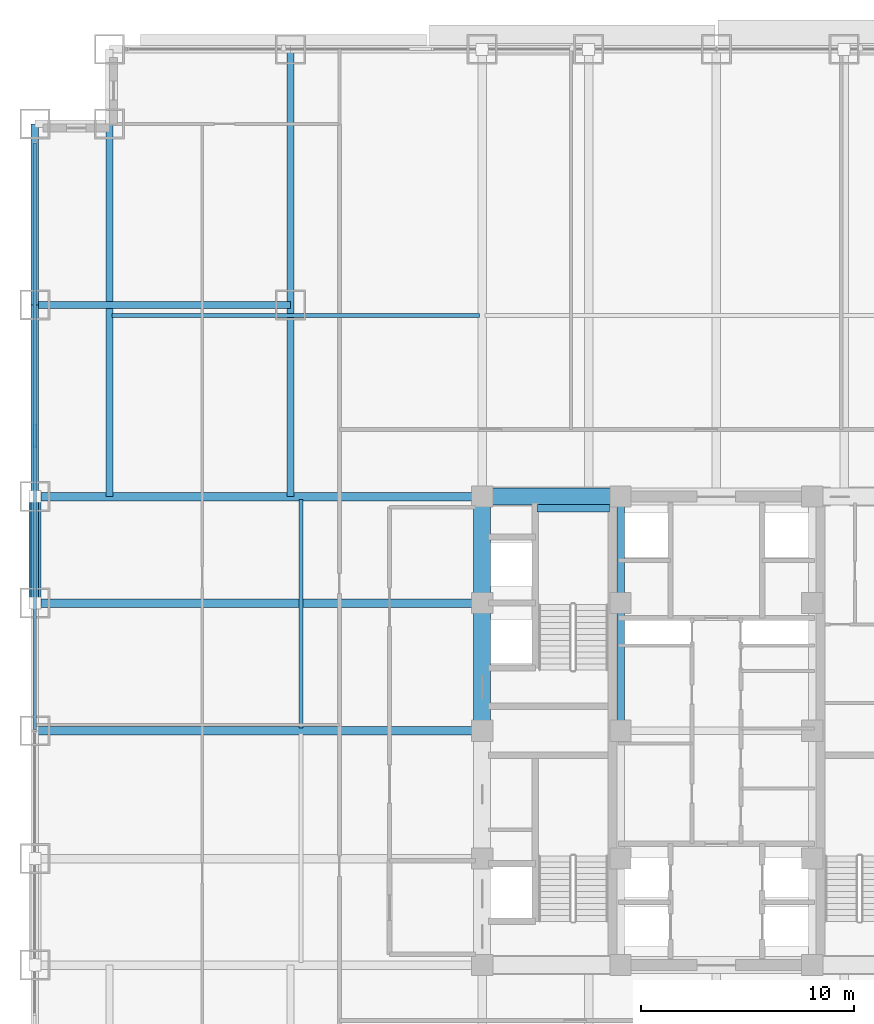
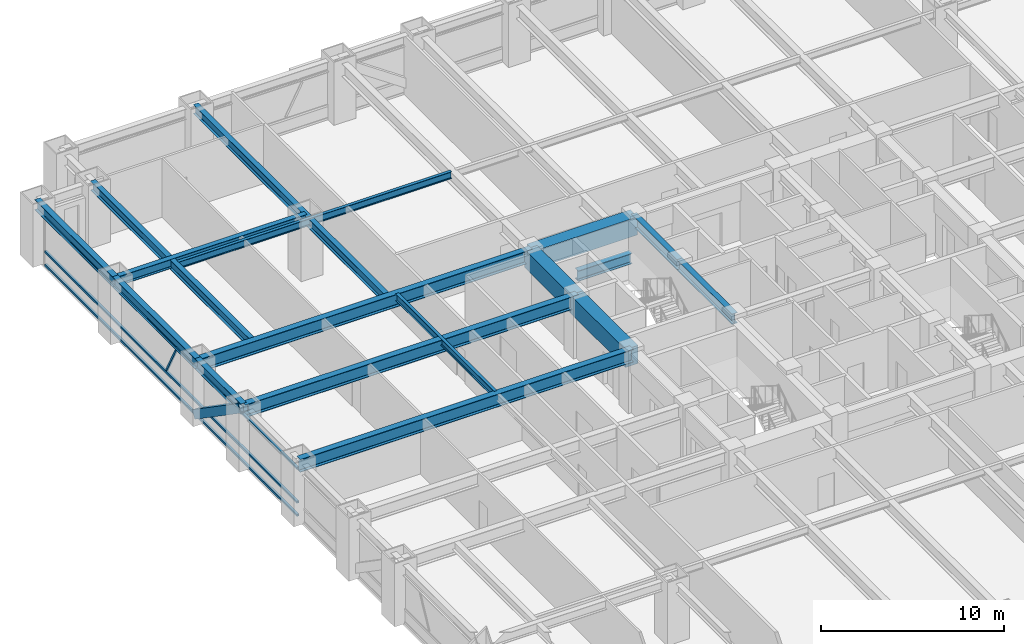
# One storey, part 9 of 32: 17 beams, 5 members, 1 element without a shape of its own.
"""IFC4 building model written with IfcOpenShell, lengths in metres."""

from ifc_helpers import new_model, si_unit, direction, frame, origin, origin_2d, place, context, subcontext, project, spatial, rectangle, hollow_rectangle, i_section, extrude, source, transform, mapped, material, material_profile, profile_set, type_object, element, aggregate, save


model = new_model("IFC4")

# Units and contexts
model_context = context("Model", 3, precision=1e-05, world=origin(), true_north=direction((0.0, 1.0)))
body_context = subcontext(model_context, "Body", "Model", "MODEL_VIEW")
ifc_project = project(units=[si_unit("LENGTHUNIT", "METRE"), si_unit("AREAUNIT", "SQUARE_METRE"), si_unit("VOLUMEUNIT", "CUBIC_METRE"), si_unit("PLANEANGLEUNIT", "RADIAN"), si_unit("MASSUNIT", "GRAM", prefix="KILO")], contexts=[model_context])

# Site, building, storey
site_placement = place(None, origin())
site = spatial("IfcSite", under=ifc_project, at=site_placement, CompositionType="ELEMENT")
building_placement = place(site_placement, origin())
building = spatial("IfcBuilding", under=site, at=building_placement, Name="Khorayat Bourse Tower", CompositionType="ELEMENT")
storey_placement = place(building_placement, frame((0.0, 0.0, 78.800048828125)))
storey = spatial("IfcBuildingStorey", under=building, at=storey_placement, Name="L17", CompositionType="ELEMENT", Elevation=78.800048828125)

# Beams
ifc_material_1 = material(Name="Concrete C72/90", Category="concrete")
ifc_material_profile_1 = material_profile(ifc_material_1, rectangle(XDim=0.800048828125, YDim=1.199951171875, at=origin_2d()), Name="RC 800x1200")
ifc_profile_set_1 = profile_set([ifc_material_profile_1], Name="Concrete C72/90")
beam_type_1 = type_object("IfcBeamType", Name="BM-COUP-1200", PredefinedType="BEAM", material=ifc_profile_set_1)
shared_shape_1 = source(origin(), body_context, "Body", "SweptSolid", [
    extrude(rectangle(XDim=0.800048828125, YDim=1.199951171875, at=origin_2d()), origin(), (0.0, 0.0, 1.0), 5.0),
])
beam_1_placement = place(storey_placement, frame((-11.0, 6.0, 3.33984375), z_axis=(0.0, 1.0, 0.0), x_axis=(-1.0, 0.0, 0.0)))
element("IfcBeam", 1, at=beam_1_placement, inside=storey, type_object=beam_type_1, Name="L17 BM-COUP-1200 BM-L17-CRX-04", PredefinedType="BEAM", context=body_context, shape_type="MappedRepresentation", body=[
    mapped(shared_shape_1, transform((0.0, 0.0, 0.0), scale=1.0)),
])
shared_shape_2 = source(origin(), body_context, "Body", "SweptSolid", [
    extrude(rectangle(XDim=0.800048828125, YDim=1.199951171875, at=origin_2d()), origin(), (0.0, 0.0, 1.0), 6.0),
])
beam_2_placement = place(storey_placement, frame((-11.0, 0.0, 3.33984375), z_axis=(0.0, 1.0, 0.0), x_axis=(-1.0, 0.0, 0.0)))
element("IfcBeam", 2, at=beam_2_placement, inside=storey, type_object=beam_type_1, Name="L17 BM-COUP-1200 BM-L17-CRX-03", PredefinedType="BEAM", context=body_context, shape_type="MappedRepresentation", body=[
    mapped(shared_shape_2, transform((0.0, 0.0, 0.0), scale=1.0)),
])
ifc_material_2 = material(Name="Steel ASTM A992 Grade 50", Category="steel")
ifc_material_profile_2 = material_profile(ifc_material_2, i_section(OverallWidth=0.35498046875, OverallDepth=0.695068359375, WebThickness=0.015380859375, FlangeThickness=0.02490234375, FilletRadius=0.01806640625, at=origin_2d()), Name="W690X217")
ifc_profile_set_2 = profile_set([ifc_material_profile_2], Name="Steel ASTM A992 Grade 50")
beam_type_2 = type_object("IfcBeamType", Name="BM-GIRD-690", PredefinedType="BEAM", material=ifc_profile_set_2)
shared_shape_3 = source(origin(), body_context, "Body", "SweptSolid", [
    extrude(i_section(OverallWidth=0.35498046875, OverallDepth=0.695068359375, WebThickness=0.015380859375, FlangeThickness=0.02490234375, FilletRadius=0.01806640625, at=origin_2d()), origin(), (0.0, 0.0, 1.0), 5.0),
])
beam_3_placement = place(storey_placement, frame((-4.5, 6.0, 3.592529296875), z_axis=(0.0, 1.0, 0.0), x_axis=(-1.0, 0.0, 0.0)))
element("IfcBeam", 3, at=beam_3_placement, inside=storey, type_object=beam_type_2, Name="L17 BM-GIRD-690 BM-L17-CRX-08", PredefinedType="BEAM", context=body_context, shape_type="MappedRepresentation", body=[
    mapped(shared_shape_3, transform((0.0, 0.0, 0.0), scale=1.0)),
])
shared_shape_4 = source(origin(), body_context, "Body", "SweptSolid", [
    extrude(i_section(OverallWidth=0.35498046875, OverallDepth=0.695068359375, WebThickness=0.015380859375, FlangeThickness=0.02490234375, FilletRadius=0.01806640625, at=origin_2d()), origin(), (0.0, 0.0, 1.0), 6.0),
])
beam_4_placement = place(storey_placement, frame((-4.5, 0.0, 3.592529296875), z_axis=(0.0, 1.0, 0.0), x_axis=(-1.0, 0.0, 0.0)))
element("IfcBeam", 4, at=beam_4_placement, inside=storey, type_object=beam_type_2, Name="L17 BM-GIRD-690 BM-L17-CRX-07", PredefinedType="BEAM", context=body_context, shape_type="MappedRepresentation", body=[
    mapped(shared_shape_4, transform((0.0, 0.0, 0.0), scale=1.0)),
])
shared_shape_5 = source(origin(), body_context, "Body", "SweptSolid", [
    extrude(rectangle(XDim=0.800048828125, YDim=1.199951171875, at=origin_2d()), origin(), (0.0, 0.0, 1.0), 6.5),
])
beam_5_placement = place(storey_placement, frame((-11.0, 11.0, 3.33984375), z_axis=(1.0, 0.0, 0.0), x_axis=(0.0, 1.0, 0.0)))
element("IfcBeam", 5, at=beam_5_placement, inside=storey, type_object=beam_type_1, Name="L17 BM-COUP-1200 BM-L17-CRY-20", PredefinedType="BEAM", context=body_context, shape_type="MappedRepresentation", body=[
    mapped(shared_shape_5, transform((0.0, 0.0, 0.0), scale=1.0)),
])
shared_shape_6 = source(origin(), body_context, "Body", "SweptSolid", [
    extrude(i_section(OverallWidth=0.35498046875, OverallDepth=0.695068359375, WebThickness=0.015380859375, FlangeThickness=0.02490234375, FilletRadius=0.01806640625, at=origin_2d()), origin(), (0.0, 0.0, 1.0), 3.39990234375),
])
beam_6_placement = place(storey_placement, frame((-8.419921875, 10.449951171875, 1.552490234375), z_axis=(1.0, 0.0, 0.0), x_axis=(0.0, 1.0, 0.0)))
element("IfcBeam", 6, at=beam_6_placement, inside=storey, type_object=beam_type_2, Name="L17 BM-GIRD-690 BM-L17-ST2L", PredefinedType="BEAM", context=body_context, shape_type="MappedRepresentation", body=[
    mapped(shared_shape_6, transform((0.0, 0.0, 0.0), scale=1.0)),
])
ifc_material_profile_3 = material_profile(ifc_material_2, i_section(OverallWidth=0.35498046875, OverallDepth=0.695068359375, WebThickness=0.015380859375, FlangeThickness=0.02490234375, FilletRadius=0.01806640625, at=origin_2d()), Name="W690X217")
ifc_profile_set_3 = profile_set([ifc_material_profile_3], Name="Steel ASTM A992 Grade 50")
beam_type_3 = type_object("IfcBeamType", Name="BM-SPAN-690", PredefinedType="SPANDREL", material=ifc_profile_set_3)
shared_shape_7 = source(origin(), body_context, "Body", "SweptSolid", [
    extrude(i_section(OverallWidth=0.35498046875, OverallDepth=0.695068359375, WebThickness=0.015380859375, FlangeThickness=0.02490234375, FilletRadius=0.01806640625, at=origin_2d()), origin(), (0.0, 0.0, 1.0), 8.5),
])
beam_7_placement = place(storey_placement, frame((-32.0, 20.0, 3.592529296875), z_axis=(0.0, 1.0, 0.0), x_axis=(-1.0, 0.0, 0.0)))
element("IfcBeam", 7, at=beam_7_placement, inside=storey, type_object=beam_type_3, Name="L17 BM-SPAN-690 BM-L17-SPN-054", PredefinedType="SPANDREL", context=body_context, shape_type="MappedRepresentation", body=[
    mapped(shared_shape_7, transform((0.0, 0.0, 0.0), scale=1.0)),
])
shared_shape_8 = source(origin(), body_context, "Body", "SweptSolid", [
    extrude(i_section(OverallWidth=0.35498046875, OverallDepth=0.695068359375, WebThickness=0.015380859375, FlangeThickness=0.02490234375, FilletRadius=0.01806640625, at=origin_2d()), origin(), (0.0, 0.0, 1.0), 9.0),
])
beam_8_placement = place(storey_placement, frame((-32.0, 11.0, 3.592529296875), z_axis=(0.0, 1.0, 0.0), x_axis=(-1.0, 0.0, 0.0)))
element("IfcBeam", 8, at=beam_8_placement, inside=storey, type_object=beam_type_3, Name="L17 BM-SPAN-690 BM-L17-SPN-055", PredefinedType="SPANDREL", context=body_context, shape_type="MappedRepresentation", body=[
    mapped(shared_shape_8, transform((0.0, 0.0, 0.0), scale=1.0)),
])
shared_shape_9 = source(origin(), body_context, "Body", "SweptSolid", [
    extrude(i_section(OverallWidth=0.35498046875, OverallDepth=0.695068359375, WebThickness=0.015380859375, FlangeThickness=0.02490234375, FilletRadius=0.01806640625, at=origin_2d()), origin(), (0.0, 0.0, 1.0), 5.0),
])
beam_9_placement = place(storey_placement, frame((-32.0, 6.0, 3.592529296875), z_axis=(0.0, 1.0, 0.0), x_axis=(-1.0, 0.0, 0.0)))
element("IfcBeam", 9, at=beam_9_placement, inside=storey, type_object=beam_type_3, Name="L17 BM-SPAN-690 BM-L17-SPN-056", PredefinedType="SPANDREL", context=body_context, shape_type="MappedRepresentation", body=[
    mapped(shared_shape_9, transform((0.0, 0.0, 0.0), scale=1.0)),
])
ifc_material_profile_4 = material_profile(ifc_material_2, i_section(OverallWidth=0.39990234375, OverallDepth=0.85498046875, WebThickness=0.018310546875, FlangeThickness=0.029296875, FilletRadius=0.02001953125, at=origin_2d()), Name="W840X299")
ifc_profile_set_4 = profile_set([ifc_material_profile_4], Name="Steel ASTM A992 Grade 50")
beam_type_4 = type_object("IfcBeamType", Name="BM-GIRD-840", PredefinedType="BEAM", material=ifc_profile_set_4)
shared_shape_10 = source(origin(), body_context, "Body", "SweptSolid", [
    extrude(i_section(OverallWidth=0.39990234375, OverallDepth=0.85498046875, WebThickness=0.018310546875, FlangeThickness=0.029296875, FilletRadius=0.02001953125, at=origin_2d()), origin(), (0.0, 0.0, 1.0), 21.0),
])
for number, where, z_axis, x_axis, name in (
    (10, (-32.0, 0.0, 3.512451171875), (1.0, 0.0, 0.0), (0.0, 1.0, 0.0), "L17 BM-GIRD-840 BM-L17-RADX-079"),
    (11, (-32.0, 6.0, 3.512451171875), (1.0, 0.0, 0.0), (0.0, 1.0, 0.0), "L17 BM-GIRD-840 BM-L17-RADX-081"),
    (12, (-32.0, 11.0, 3.512451171875), (1.0, 0.0, 0.0), (0.0, 1.0, 0.0), "L17 BM-GIRD-840 BM-L17-RADX-083"),
):
    element("IfcBeam", number, at=place(storey_placement, frame(where, z_axis=z_axis, x_axis=x_axis)), inside=storey, type_object=beam_type_4, Name=name, PredefinedType="BEAM", context=body_context, shape_type="MappedRepresentation", body=[
        mapped(shared_shape_10, transform((0.0, 0.0, 0.0), scale=1.0)),
    ])
ifc_material_profile_5 = material_profile(ifc_material_2, i_section(OverallWidth=0.324951171875, OverallDepth=0.615966796875, WebThickness=0.013916015625, FlangeThickness=0.021484375, FilletRadius=0.01611328125, at=origin_2d()), Name="W610X174")
ifc_profile_set_5 = profile_set([ifc_material_profile_5], Name="Steel ASTM A992 Grade 50")
beam_type_5 = type_object("IfcBeamType", Name="BM-GIRD-610", PredefinedType="BEAM", material=ifc_profile_set_5)
shared_shape_11 = source(origin(), body_context, "Body", "SweptSolid", [
    extrude(i_section(OverallWidth=0.324951171875, OverallDepth=0.615966796875, WebThickness=0.013916015625, FlangeThickness=0.021484375, FilletRadius=0.01611328125, at=origin_2d()), origin(), (0.0, 0.0, 1.0), 21.0),
])
beam_10_placement = place(storey_placement, frame((-20.0, 11.0, 3.6318359375), z_axis=(0.0, 1.0, 0.0), x_axis=(-1.0, 0.0, 0.0)))
element("IfcBeam", 13, at=beam_10_placement, inside=storey, type_object=beam_type_5, Name="L17 BM-GIRD-610 BM-L17-CNRY-085", PredefinedType="BEAM", context=body_context, shape_type="MappedRepresentation", body=[
    mapped(shared_shape_11, transform((0.0, 0.0, 0.0), scale=1.0)),
])
shared_shape_12 = source(origin(), body_context, "Body", "SweptSolid", [
    extrude(i_section(OverallWidth=0.324951171875, OverallDepth=0.615966796875, WebThickness=0.013916015625, FlangeThickness=0.021484375, FilletRadius=0.01611328125, at=origin_2d()), origin(), (0.0, 0.0, 1.0), 17.5),
])
beam_11_placement = place(storey_placement, frame((-28.5, 11.0, 3.6318359375), z_axis=(0.0, 1.0, 0.0), x_axis=(-1.0, 0.0, 0.0)))
element("IfcBeam", 14, at=beam_11_placement, inside=storey, type_object=beam_type_5, Name="L17 BM-GIRD-610 BM-L17-CNRY-089", PredefinedType="BEAM", context=body_context, shape_type="MappedRepresentation", body=[
    mapped(shared_shape_12, transform((0.0, 0.0, 0.0), scale=1.0)),
])
shared_shape_13 = source(origin(), body_context, "Body", "SweptSolid", [
    extrude(i_section(OverallWidth=0.324951171875, OverallDepth=0.615966796875, WebThickness=0.013916015625, FlangeThickness=0.021484375, FilletRadius=0.01611328125, at=origin_2d()), origin(), (0.0, 0.0, 1.0), 12.0),
])
beam_12_placement = place(storey_placement, frame((-32.0, 20.0, 3.6318359375), z_axis=(1.0, 0.0, 0.0), x_axis=(0.0, 1.0, 0.0)))
element("IfcBeam", 15, at=beam_12_placement, inside=storey, type_object=beam_type_5, Name="L17 BM-GIRD-610 BM-L17-CNRX-095", PredefinedType="BEAM", context=body_context, shape_type="MappedRepresentation", body=[
    mapped(shared_shape_13, transform((0.0, 0.0, 0.0), scale=1.0)),
])
ifc_material_profile_6 = material_profile(ifc_material_2, i_section(OverallWidth=0.194091796875, OverallDepth=0.468994140625, WebThickness=0.0126953125, FlangeThickness=0.0205078125, FilletRadius=0.012939453125, at=origin_2d()), Name="W460X106")
ifc_profile_set_6 = profile_set([ifc_material_profile_6], Name="Steel ASTM A992 Grade 50")
beam_type_6 = type_object("IfcBeamType", Name="BM-JOIST-460", PredefinedType="JOIST", material=ifc_profile_set_6)
shared_shape_14 = source(origin(), body_context, "Body", "SweptSolid", [
    extrude(i_section(OverallWidth=0.194091796875, OverallDepth=0.468994140625, WebThickness=0.0126953125, FlangeThickness=0.0205078125, FilletRadius=0.012939453125, at=origin_2d()), origin(), (0.0, 0.0, 1.0), 17.240234375),
])
beam_13_placement = place(storey_placement, frame((-28.3701171875, 19.5, 3.70556640625), z_axis=(1.0, 0.0, 0.0), x_axis=(0.0, 1.0, 0.0)))
element("IfcBeam", 16, at=beam_13_placement, inside=storey, type_object=beam_type_6, Name="L17 BM-JOIST-460 BM-L17-JSTX-099", PredefinedType="JOIST", context=body_context, shape_type="MappedRepresentation", body=[
    mapped(shared_shape_14, transform((0.0, 0.0, 0.0), scale=1.0)),
])
shared_shape_15 = source(origin(), body_context, "Body", "SweptSolid", [
    extrude(i_section(OverallWidth=0.194091796875, OverallDepth=0.468994140625, WebThickness=0.0126953125, FlangeThickness=0.0205078125, FilletRadius=0.012939453125, at=origin_2d()), origin(), (0.0, 0.0, 1.0), 10.740234375),
])
beam_14_placement = place(storey_placement, frame((-19.5, 0.1298828125, 3.70556640625), z_axis=(0.0, 1.0, 0.0), x_axis=(-1.0, 0.0, 0.0)))
element("IfcBeam", 17, at=beam_14_placement, inside=storey, type_object=beam_type_6, Name="L17 BM-JOIST-460 BM-L17-JSTY-103", PredefinedType="JOIST", context=body_context, shape_type="MappedRepresentation", body=[
    mapped(shared_shape_15, transform((0.0, 0.0, 0.0), scale=1.0)),
])

# Member
ifc_material_3 = material(Name="Steel EN 10025-4 S460M", Category="steel")
ifc_material_profile_7 = material_profile(ifc_material_3, hollow_rectangle(XDim=0.550048828125, YDim=0.550048828125, WallThickness=0.031982421875, at=origin_2d()), Name="HSS 550x550x32")
ifc_profile_set_7 = profile_set([ifc_material_profile_7], Name="Steel EN 10025-4 S460M")
member_type_1 = type_object("IfcMemberType", Name="MBR-TUBE-550", PredefinedType="BRACE", material=ifc_profile_set_7)
shared_shape_16 = source(origin(), body_context, "Body", "SweptSolid", [
    extrude(hollow_rectangle(XDim=0.550048828125, YDim=0.550048828125, WallThickness=0.031982421875, at=origin_2d()), origin(), (0.0, 0.0, 1.0), 6.069091796875),
])
member_1_placement = place(storey_placement, frame((-32.0, 6.0, 3.68994140625), z_axis=(0.0, 0.823854080622, -0.566801952928), x_axis=(-1.0, 0.0, 0.0)))
element("IfcMember", 18, at=member_1_placement, inside=storey, type_object=member_type_1, Name="L17 Perimeter Tube Brace 06", PredefinedType="BRACE", context=body_context, shape_type="MappedRepresentation", body=[
    mapped(shared_shape_16, transform((0.0, 0.0, 0.0), scale=1.0)),
])

# Curtain wall, members
ifc_material_4 = material(Name="Aluminium EN AW-6063 T6", Category="aluminium")
curtain_wall_type = type_object("IfcCurtainWallType", Name="CW-SYS-02", PredefinedType="NOTDEFINED", material=ifc_material_4)
curtain_wall_placement = place(storey_placement, origin())
curtain_wall = element("IfcCurtainWall", 19, at=curtain_wall_placement, inside=storey, type_object=curtain_wall_type, Name="L17 Curtain Wall CW-L17-W1", PredefinedType="NOTDEFINED")
ifc_material_profile_8 = material_profile(ifc_material_4, hollow_rectangle(XDim=0.1201171875, YDim=0.1201171875, WallThickness=0.0048828125, at=origin_2d()), Name="ALU 120x120x5")
ifc_profile_set_8 = profile_set([ifc_material_profile_8], Name="Aluminium EN AW-6063 T6")
member_type_2 = type_object("IfcMemberType", Name="CWM-DIAG-120", PredefinedType="MULLION", material=ifc_profile_set_8)
shared_shape_17 = source(origin(), body_context, "Body", "SweptSolid", [
    extrude(hollow_rectangle(XDim=0.1201171875, YDim=0.1201171875, WallThickness=0.0048828125, at=origin_2d()), origin(), (0.0, 0.0, 1.0), 2.226318359375),
])
member_2_placement = place(storey_placement, frame((-32.0, 14.3583984375, 1.099853515625), z_axis=(0.0, -0.465714796031, 0.884934872608), x_axis=(1.0, 0.0, 0.0)))
member_2 = element("IfcMember", 20, at=member_2_placement, type_object=member_type_2, Name="CW-L17-W1 Faceted Diagonal Mullion 2", PredefinedType="MULLION", context=body_context, shape_type="MappedRepresentation", body=[
    mapped(shared_shape_17, transform((0.0, 0.0, 0.0), scale=1.0)),
])
ifc_material_profile_9 = material_profile(ifc_material_4, hollow_rectangle(XDim=0.139892578125, YDim=0.139892578125, WallThickness=0.006103515625, at=origin_2d()), Name="ALU 140x140x6")
ifc_profile_set_9 = profile_set([ifc_material_profile_9], Name="Aluminium EN AW-6063 T6")
member_type_3 = type_object("IfcMemberType", Name="CWT-HORZ-140", PredefinedType="USERDEFINED", material=ifc_profile_set_9)
shared_shape_18 = source(origin(), body_context, "Body", "SweptSolid", [
    extrude(hollow_rectangle(XDim=0.139892578125, YDim=0.139892578125, WallThickness=0.006103515625, at=origin_2d()), origin(), (0.0, 0.0, 1.0), 27.5400390625),
])
member_3_placement = place(storey_placement, frame((-32.0, 0.070068359375, 0.070068359375), z_axis=(0.0, 1.0, 0.0), x_axis=(-1.0, 0.0, 0.0)))
member_3 = element("IfcMember", 21, at=member_3_placement, type_object=member_type_3, Name="CW-L17-W1 Horizontal Transom 2-1", ObjectType="TRANSOM", PredefinedType="USERDEFINED", context=body_context, shape_type="MappedRepresentation", body=[
    mapped(shared_shape_18, transform((0.0, 0.0, 0.0), scale=1.0)),
])
member_4_placement = place(storey_placement, frame((-32.0, 0.070068359375, 0.949951171875), z_axis=(0.0, 1.0, 0.0), x_axis=(-1.0, 0.0, 0.0)))
member_4 = element("IfcMember", 22, at=member_4_placement, type_object=member_type_3, Name="CW-L17-W1 Horizontal Transom 2-2", ObjectType="TRANSOM", PredefinedType="USERDEFINED", context=body_context, shape_type="MappedRepresentation", body=[
    mapped(shared_shape_18, transform((0.0, 0.0, 0.0), scale=1.0)),
])
member_5_placement = place(storey_placement, frame((-32.0, 0.070068359375, 3.219970703125), z_axis=(0.0, 1.0, 0.0), x_axis=(-1.0, 0.0, 0.0)))
member_5 = element("IfcMember", 23, at=member_5_placement, type_object=member_type_3, Name="CW-L17-W1 Horizontal Transom 2-3", ObjectType="TRANSOM", PredefinedType="USERDEFINED", context=body_context, shape_type="MappedRepresentation", body=[
    mapped(shared_shape_18, transform((0.0, 0.0, 0.0), scale=1.0)),
])
aggregate(curtain_wall, [member_3, member_4, member_5, member_2])

save(model, "model.ifc")
